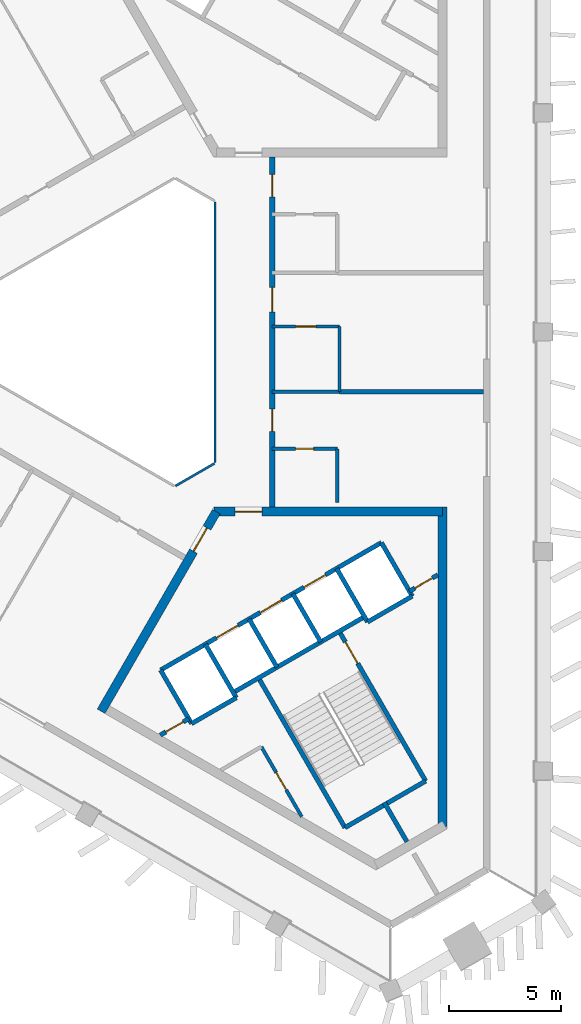
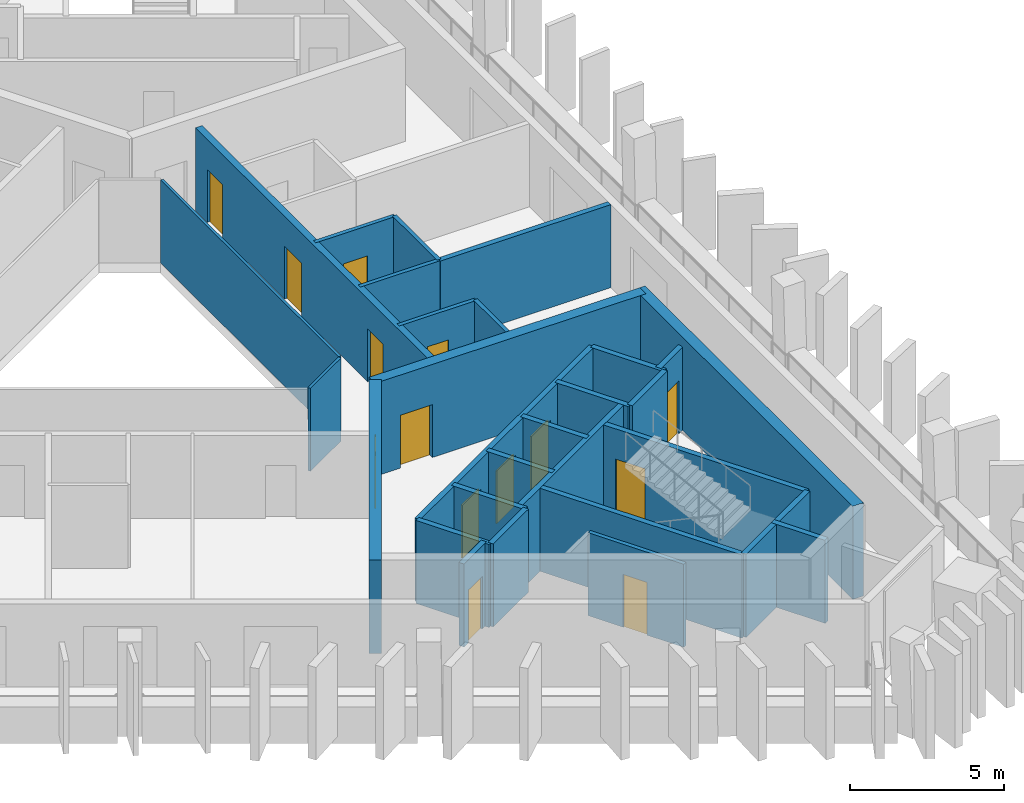
# One storey, part 3 of 9: 29 walls, 14 doors, 14 openings.
"""IFC4 building model written with IfcOpenShell, lengths in metres."""

from ifc_helpers import new_model, si_unit, direction, frame, frame_2d, origin, place, context, subcontext, project, spatial, rectangle, extrude, material, layer, layer_set, type_object, element, fill, save


model = new_model("IFC4")

# Units and contexts
model_context = context("Model", 3, precision=1e-05, world=origin(), true_north=direction((0.0, 1.0)))
body_context = subcontext(model_context, "Body", "Model", "MODEL_VIEW")
ifc_project = project(units=[si_unit("LENGTHUNIT", "METRE"), si_unit("AREAUNIT", "SQUARE_METRE"), si_unit("VOLUMEUNIT", "CUBIC_METRE"), si_unit("PLANEANGLEUNIT", "RADIAN"), si_unit("MASSUNIT", "GRAM", prefix="KILO")], contexts=[model_context])

# Site, building, storey
site_placement = place(None, origin())
site = spatial("IfcSite", under=ifc_project, at=site_placement, CompositionType="ELEMENT")
building_placement = place(site_placement, origin())
building = spatial("IfcBuilding", under=site, at=building_placement, Name="Jabali Bay Hotel Tower and Convention Centre", CompositionType="ELEMENT")
storey_placement = place(building_placement, frame((0.0, 0.0, 270.10009765625)))
storey = spatial("IfcBuildingStorey", under=building, at=storey_placement, Name="L66", CompositionType="ELEMENT", Elevation=270.10009765625)

# Walls
ifc_material_1 = material(Name="Fire-resistant glazing", Category="glass")
ifc_layer_1 = layer(ifc_material_1, 0.10009765625)
ifc_layer_set_1 = layer_set([ifc_layer_1], Name="Fire-resistant glazing")
wall_type_1 = type_object("IfcWallType", Name="Atrium glazed screen 100", PredefinedType="PARTITIONING", material=ifc_layer_set_1)
wall_1_placement = place(storey_placement, frame((79.56005859375, 74.205810546875, 0.0), z_axis=(0.0, 0.0, 1.0), x_axis=(0.0, 1.0, 0.0)))
element("IfcWall", 1, at=wall_1_placement, inside=storey, type_object=wall_type_1, Name="Atrium screen 1 L66", PredefinedType="PARTITIONING", context=body_context, shape_type="SweptSolid", body=[
    extrude(rectangle(XDim=11.58837890625, YDim=0.10009765625, at=frame_2d((5.794189453125, 0.0))), origin(), (0.0, 0.0, 1.0), 3.2998046875),
])
wall_2_placement = place(storey_placement, frame((77.7978515625, 73.15380859375, 0.0), z_axis=(0.0, 0.0, 1.0), x_axis=(0.866041268327, 0.499972520799, 0.0)))
element("IfcWall", 2, at=wall_2_placement, inside=storey, type_object=wall_type_1, Name="Atrium screen 6 L66", PredefinedType="PARTITIONING", context=body_context, shape_type="SweptSolid", body=[
    extrude(rectangle(XDim=2.0, YDim=0.10009765625, at=frame_2d((1.0, 0.0))), origin(), (0.0, 0.0, 1.0), 3.2998046875),
])
ifc_material_2 = material(Name="Concrete C40", Category="concrete")
ifc_layer_2 = layer(ifc_material_2, 0.199951171875)
ifc_layer_set_2 = layer_set([ifc_layer_2], Name="Concrete C40")
wall_type_2 = type_object("IfcWallType", Name="Core partition wall 200", PredefinedType="PARTITIONING", material=ifc_layer_set_2)
wall_3_placement = place(storey_placement, frame((87.090087890625, 59.0595703125, 0.0), z_axis=(0.0, 0.0, 1.0), x_axis=(0.499941815747, -0.866058993873, 0.0)))
element("IfcWall", 3, at=wall_3_placement, inside=storey, type_object=wall_type_2, Name="Core wall 2.5 L66", PredefinedType="PARTITIONING", context=body_context, shape_type="SweptSolid", body=[
    extrude(rectangle(XDim=2.023193359375, YDim=0.199951171875, at=frame_2d((1.01171875, 0.0))), origin(), (0.0, 0.0, 1.0), 3.2998046875),
])

# Wall, opening, door
wall_4_placement = place(storey_placement, frame((77.119873046875, 62.055908203125, 0.0), z_axis=(0.0, 0.0, 1.0), x_axis=(0.866054810376, 0.49994906283, 0.0)))
wall_4 = element("IfcWall", 4, at=wall_4_placement, inside=storey, type_object=wall_type_2, Name="Core wall 2.12 L66", PredefinedType="PARTITIONING", context=body_context, shape_type="SweptSolid", body=[
    extrude(rectangle(XDim=1.461181640625, YDim=0.199951171875, at=frame_2d((0.73046875, 0.0))), origin(), (0.0, 0.0, 1.0), 3.2998046875),
])
opening_1_placement = place(wall_4_placement, frame((0.280517578125, 0.0, 0.0)))
opening_1 = element("IfcOpeningElement", 5, at=opening_1_placement, cuts=wall_4, Name="Opening D1465", PredefinedType="OPENING", context=body_context, shape_type="SweptSolid", body=[
    extrude(rectangle(XDim=0.89990234375, YDim=2.10009765625, at=frame_2d((0.449951171875, 1.050048828125))), frame((0.0, 0.1103515625, 0.0), z_axis=(0.0, -1.0, 0.0), x_axis=(1.0, 0.0, 0.0)), (0.0, 0.0, 1.0), 0.220947265625),
])
ifc_material_3 = material(Name="Fire-rated steel door", Category="steel")
door_type_1 = type_object("IfcDoorType", Name="Vestibule fire door 900 x 2100", OperationType="NOTDEFINED", PredefinedType="NOTDEFINED", material=ifc_material_3)
door_1_placement = place(opening_1_placement, origin())
door_1 = element("IfcDoor", 6, at=door_1_placement, inside=storey, type_object=door_type_1, Name="Vestibule fire door D1465", OperationType="SINGLE_SWING_LEFT", OverallHeight=2.10009765625, OverallWidth=0.89990234375, PredefinedType="NOTDEFINED", context=body_context, shape_type="SweptSolid", body=[
    extrude(rectangle(XDim=0.89990234375, YDim=2.10009765625, at=frame_2d((0.449951171875, 1.050048828125))), frame((0.0, 0.02490234375, 0.0), z_axis=(0.0, -1.0, 0.0), x_axis=(1.0, 0.0, 0.0)), (0.0, 0.0, 1.0), 0.050048828125),
])
fill(opening_1, door_1)

wall_5_placement = place(storey_placement, frame((88.214599609375, 68.46142578125, 0.0), z_axis=(0.0, 0.0, 1.0), x_axis=(0.865982457891, 0.500074377092, 0.0)))
wall_5 = element("IfcWall", 7, at=wall_5_placement, inside=storey, type_object=wall_type_2, Name="Core wall 2.13 L66", PredefinedType="PARTITIONING", context=body_context, shape_type="SweptSolid", body=[
    extrude(rectangle(XDim=1.461181640625, YDim=0.199951171875, at=frame_2d((0.73046875, 0.0))), origin(), (0.0, 0.0, 1.0), 3.2998046875),
])
opening_2_placement = place(wall_5_placement, frame((0.280517578125, 0.0, 0.0)))
opening_2 = element("IfcOpeningElement", 8, at=opening_2_placement, cuts=wall_5, Name="Opening D1464", PredefinedType="OPENING", context=body_context, shape_type="SweptSolid", body=[
    extrude(rectangle(XDim=0.89990234375, YDim=2.10009765625, at=frame_2d((0.449951171875, 1.050048828125))), frame((0.0, 0.1103515625, 0.0), z_axis=(0.0, -1.0, 0.0), x_axis=(1.0, 0.0, 0.0)), (0.0, 0.0, 1.0), 0.220947265625),
])
door_2_placement = place(opening_2_placement, origin())
door_2 = element("IfcDoor", 9, at=door_2_placement, inside=storey, type_object=door_type_1, Name="Vestibule fire door D1464", OperationType="SINGLE_SWING_LEFT", OverallHeight=2.10009765625, OverallWidth=0.89990234375, PredefinedType="NOTDEFINED", context=body_context, shape_type="SweptSolid", body=[
    extrude(rectangle(XDim=0.89990234375, YDim=2.10009765625, at=frame_2d((0.449951171875, 1.050048828125))), frame((0.0, 0.02490234375, 0.0), z_axis=(0.0, -1.0, 0.0), x_axis=(1.0, 0.0, 0.0)), (0.0, 0.0, 1.0), 0.050048828125),
])
fill(opening_2, door_2)

ifc_material_4 = material(Name="Fire-rated board partition")
ifc_layer_3 = layer(ifc_material_4, 0.14990234375)
ifc_layer_set_3 = layer_set([ifc_layer_3], Name="Fire-rated board partition")
wall_type_3 = type_object("IfcWallType", Name="Core room partition 150", PredefinedType="PARTITIONING", material=ifc_layer_set_3)
wall_6_placement = place(storey_placement, frame((81.618896484375, 61.53564453125, 0.0), z_axis=(0.0, 0.0, 1.0), x_axis=(0.499992664208, -0.866029639064, 0.0)))
wall_6 = element("IfcWall", 10, at=wall_6_placement, inside=storey, type_object=wall_type_3, Name="Core wall 2.1 L66", PredefinedType="PARTITIONING", context=body_context, shape_type="SweptSolid", body=[
    extrude(rectangle(XDim=3.59765625, YDim=0.14990234375, at=frame_2d((1.798828125, 0.0))), origin(), (0.0, 0.0, 1.0), 3.2998046875),
])
opening_3_placement = place(wall_6_placement, frame((1.321533203125, 0.0, 0.0)))
opening_3 = element("IfcOpeningElement", 11, at=opening_3_placement, cuts=wall_6, Name="Opening D1467", PredefinedType="OPENING", context=body_context, shape_type="SweptSolid", body=[
    extrude(rectangle(XDim=0.89990234375, YDim=2.10009765625, at=frame_2d((0.449951171875, 1.050048828125))), frame((0.0, 0.08544921875, 0.0), z_axis=(0.0, -1.0, 0.0), x_axis=(1.0, 0.0, 0.0)), (0.0, 0.0, 1.0), 0.1708984375),
])
door_type_2 = type_object("IfcDoorType", Name="Core room door 900 x 2100", OperationType="NOTDEFINED", PredefinedType="NOTDEFINED", material=ifc_material_3)
door_3_placement = place(opening_3_placement, origin())
door_3 = element("IfcDoor", 12, at=door_3_placement, inside=storey, type_object=door_type_2, Name="Core room door D1467", OperationType="SINGLE_SWING_LEFT", OverallHeight=2.10009765625, OverallWidth=0.89990234375, PredefinedType="NOTDEFINED", context=body_context, shape_type="SweptSolid", body=[
    extrude(rectangle(XDim=0.89990234375, YDim=2.10009765625, at=frame_2d((0.449951171875, 1.050048828125))), frame((0.0, 0.02490234375, 0.0), z_axis=(0.0, -1.0, 0.0), x_axis=(1.0, 0.0, 0.0)), (0.0, 0.0, 1.0), 0.050048828125),
])
fill(opening_3, door_3)

# Walls
ifc_layer_4 = layer(ifc_material_2, 0.199951171875)
ifc_layer_set_4 = layer_set([ifc_layer_4], Name="Concrete C40")
wall_type_4 = type_object("IfcWallType", Name="Core stair wall 200", PredefinedType="SOLIDWALL", material=ifc_layer_set_4)
for number, where, z_axis, x_axis, name in (
    (13, (77.13525390625, 64.95166015625, 0.0), (0.0, 0.0, 1.0), (0.499996545922, -0.866027397988, 0.0), "Core wall 2.0 L66"),
    (14, (79.127197265625, 66.1015625, 0.0), (0.0, 0.0, 1.0), (0.499996545922, -0.866027397988, 0.0), "Core wall 2.2 L66"),
):
    element("IfcWall", number, at=place(storey_placement, frame(where, z_axis=z_axis, x_axis=x_axis)), inside=storey, type_object=wall_type_4, Name=name, PredefinedType="SOLIDWALL", context=body_context, shape_type="SweptSolid", body=[
        extrude(rectangle(XDim=2.75, YDim=0.199951171875, at=frame_2d((1.375, 0.0))), origin(), (0.0, 0.0, 1.0), 3.2998046875),
    ])
wall_7_placement = place(storey_placement, frame((81.492919921875, 64.603759765625, 0.0), z_axis=(0.0, 0.0, 1.0), x_axis=(0.500006057782, -0.866021906294, 0.0)))
element("IfcWall", 15, at=wall_7_placement, inside=storey, type_object=wall_type_4, Name="Core wall 2.3 L66", PredefinedType="SOLIDWALL", context=body_context, shape_type="SweptSolid", body=[
    extrude(rectangle(XDim=7.7001953125, YDim=0.199951171875, at=frame_2d((3.85009765625, 0.0))), origin(), (0.0, 0.0, 1.0), 3.2998046875),
])
for number, where, z_axis, x_axis, name in (
    (16, (81.07568359375, 67.2265625, 0.0), (0.0, 0.0, 1.0), (0.50000366821, -0.866023285932, 0.0), "Core wall 2.4 L66"),
    (17, (83.024169921875, 68.3515625, 0.0), (0.0, 0.0, 1.0), (0.50000366821, -0.866023285932, 0.0), "Core wall 2.6 L66"),
):
    element("IfcWall", number, at=place(storey_placement, frame(where, z_axis=z_axis, x_axis=x_axis)), inside=storey, type_object=wall_type_4, Name=name, PredefinedType="SOLIDWALL", context=body_context, shape_type="SweptSolid", body=[
        extrude(rectangle(XDim=2.47998046875, YDim=0.199951171875, at=frame_2d((1.239990234375, 0.0))), origin(), (0.0, 0.0, 1.0), 3.2998046875),
    ])

# Wall, opening, door
wall_8_placement = place(storey_placement, frame((85.0869140625, 66.6787109375, 0.0), z_axis=(0.0, 0.0, 1.0), x_axis=(0.500019787375, -0.866013979237, 0.0)))
wall_8 = element("IfcWall", 18, at=wall_8_placement, inside=storey, type_object=wall_type_4, Name="Core wall 2.7 L66", PredefinedType="SOLIDWALL", context=body_context, shape_type="SweptSolid", body=[
    extrude(rectangle(XDim=7.699951171875, YDim=0.199951171875, at=frame_2d((3.85009765625, 0.0))), origin(), (0.0, 0.0, 1.0), 3.2998046875),
])
opening_4_placement = place(wall_8_placement, frame((0.550048828125, 0.0, 0.0)))
opening_4 = element("IfcOpeningElement", 19, at=opening_4_placement, cuts=wall_8, Name="Opening D1466", PredefinedType="OPENING", context=body_context, shape_type="SweptSolid", body=[
    extrude(rectangle(XDim=1.10009765625, YDim=2.10009765625, at=frame_2d((0.550048828125, 1.050048828125))), frame((0.0, 0.1103515625, 0.0), z_axis=(0.0, -1.0, 0.0), x_axis=(1.0, 0.0, 0.0)), (0.0, 0.0, 1.0), 0.220947265625),
])
door_type_3 = type_object("IfcDoorType", Name="Stair fire door 1100 x 2100", OperationType="NOTDEFINED", PredefinedType="NOTDEFINED", material=ifc_material_3)
door_4_placement = place(opening_4_placement, origin())
door_4 = element("IfcDoor", 20, at=door_4_placement, inside=storey, type_object=door_type_3, Name="Stair fire door D1466", OperationType="SINGLE_SWING_RIGHT", OverallHeight=2.10009765625, OverallWidth=1.10009765625, PredefinedType="NOTDEFINED", context=body_context, shape_type="SweptSolid", body=[
    extrude(rectangle(XDim=1.10009765625, YDim=2.10009765625, at=frame_2d((0.550048828125, 1.050048828125))), frame((0.0, 0.02490234375, 0.0), z_axis=(0.0, -1.0, 0.0), x_axis=(1.0, 0.0, 0.0)), (0.0, 0.0, 1.0), 0.050048828125),
])
fill(opening_4, door_4)

# Walls
for number, where, z_axis, x_axis, name in (
    (21, (84.972900390625, 69.4765625, 0.0), (0.0, 0.0, 1.0), (0.499996545922, -0.866027397988, 0.0), "Core wall 2.8 L66"),
    (22, (86.964599609375, 70.62646484375, 0.0), (0.0, 0.0, 1.0), (0.499996545922, -0.866027397988, 0.0), "Core wall 2.9 L66"),
):
    element("IfcWall", number, at=place(storey_placement, frame(where, z_axis=z_axis, x_axis=x_axis)), inside=storey, type_object=wall_type_4, Name=name, PredefinedType="SOLIDWALL", context=body_context, shape_type="SweptSolid", body=[
        extrude(rectangle(XDim=2.75, YDim=0.199951171875, at=frame_2d((1.375, 0.0))), origin(), (0.0, 0.0, 1.0), 3.2998046875),
    ])

# Wall, openings, doors
wall_9_placement = place(storey_placement, frame((77.13525390625, 64.95166015625, 0.0), z_axis=(0.0, 0.0, 1.0), x_axis=(0.866031916153, 0.499988720078, 0.0)))
wall_9 = element("IfcWall", 23, at=wall_9_placement, inside=storey, type_object=wall_type_4, Name="Core wall 2.10 L66", PredefinedType="SOLIDWALL", context=body_context, shape_type="SweptSolid", body=[
    extrude(rectangle(XDim=11.349853515625, YDim=0.199951171875, at=frame_2d((5.6748046875, 0.0))), origin(), (0.0, 0.0, 1.0), 3.2998046875),
])
opening_5_placement = place(wall_9_placement, frame((2.875, 0.0, 0.0)))
opening_5 = element("IfcOpeningElement", 24, at=opening_5_placement, cuts=wall_9, Name="Opening LD12-L66", PredefinedType="OPENING", context=body_context, shape_type="SweptSolid", body=[
    extrude(rectangle(XDim=1.10009765625, YDim=2.10009765625, at=frame_2d((0.550048828125, 1.050048828125))), frame((0.0, 0.1103515625, 0.0), z_axis=(0.0, -1.0, 0.0), x_axis=(1.0, 0.0, 0.0)), (0.0, 0.0, 1.0), 0.220947265625),
])
opening_6_placement = place(wall_9_placement, frame((5.125, 0.0, 0.0)))
opening_6 = element("IfcOpeningElement", 25, at=opening_6_placement, cuts=wall_9, Name="Opening LD13-L66", PredefinedType="OPENING", context=body_context, shape_type="SweptSolid", body=[
    extrude(rectangle(XDim=1.10009765625, YDim=2.10009765625, at=frame_2d((0.550048828125, 1.050048828125))), frame((0.0, 0.1103515625, 0.0), z_axis=(0.0, -1.0, 0.0), x_axis=(1.0, 0.0, 0.0)), (0.0, 0.0, 1.0), 0.220947265625),
])
opening_7_placement = place(wall_9_placement, frame((7.375, 0.0, 0.0)))
opening_7 = element("IfcOpeningElement", 26, at=opening_7_placement, cuts=wall_9, Name="Opening LD14-L66", PredefinedType="OPENING", context=body_context, shape_type="SweptSolid", body=[
    extrude(rectangle(XDim=1.10009765625, YDim=2.10009765625, at=frame_2d((0.550048828125, 1.050048828125))), frame((0.0, 0.1103515625, 0.0), z_axis=(0.0, -1.0, 0.0), x_axis=(1.0, 0.0, 0.0)), (0.0, 0.0, 1.0), 0.220947265625),
])
ifc_material_5 = material(Name="Stainless steel landing door", Category="steel")
door_type_4 = type_object("IfcDoorType", Name="Landing door 1100 x 2100", OperationType="NOTDEFINED", PredefinedType="NOTDEFINED", material=ifc_material_5)
door_5_placement = place(opening_5_placement, origin())
door_5 = element("IfcDoor", 27, at=door_5_placement, inside=storey, type_object=door_type_4, Name="Landing doors LD12-L66", OperationType="SLIDING_TO_LEFT", OverallHeight=2.10009765625, OverallWidth=1.10009765625, PredefinedType="NOTDEFINED", context=body_context, shape_type="SweptSolid", body=[
    extrude(rectangle(XDim=1.10009765625, YDim=2.10009765625, at=frame_2d((0.550048828125, 1.050048828125))), frame((0.0, 0.02490234375, 0.0), z_axis=(0.0, -1.0, 0.0), x_axis=(1.0, 0.0, 0.0)), (0.0, 0.0, 1.0), 0.050048828125),
])
fill(opening_5, door_5)
door_6_placement = place(opening_6_placement, origin())
door_6 = element("IfcDoor", 28, at=door_6_placement, inside=storey, type_object=door_type_4, Name="Landing doors LD13-L66", OperationType="SLIDING_TO_RIGHT", OverallHeight=2.10009765625, OverallWidth=1.10009765625, PredefinedType="NOTDEFINED", context=body_context, shape_type="SweptSolid", body=[
    extrude(rectangle(XDim=1.10009765625, YDim=2.10009765625, at=frame_2d((0.550048828125, 1.050048828125))), frame((0.0, 0.02490234375, 0.0), z_axis=(0.0, -1.0, 0.0), x_axis=(1.0, 0.0, 0.0)), (0.0, 0.0, 1.0), 0.050048828125),
])
fill(opening_6, door_6)
door_7_placement = place(opening_7_placement, origin())
door_7 = element("IfcDoor", 29, at=door_7_placement, inside=storey, type_object=door_type_4, Name="Landing doors LD14-L66", OperationType="SLIDING_TO_LEFT", OverallHeight=2.10009765625, OverallWidth=1.10009765625, PredefinedType="NOTDEFINED", context=body_context, shape_type="SweptSolid", body=[
    extrude(rectangle(XDim=1.10009765625, YDim=2.10009765625, at=frame_2d((0.550048828125, 1.050048828125))), frame((0.0, 0.02490234375, 0.0), z_axis=(0.0, -1.0, 0.0), x_axis=(1.0, 0.0, 0.0)), (0.0, 0.0, 1.0), 0.050048828125),
])
fill(opening_7, door_7)

# Walls
wall_10_placement = place(storey_placement, frame((80.3671875, 63.953857421875, 0.0), z_axis=(0.0, 0.0, 1.0), x_axis=(0.866026575979, 0.499997969693, 0.0)))
element("IfcWall", 30, at=wall_10_placement, inside=storey, type_object=wall_type_4, Name="Core wall 2.11 L66", PredefinedType="SOLIDWALL", context=body_context, shape_type="SweptSolid", body=[
    extrude(rectangle(XDim=6.75, YDim=0.199951171875, at=frame_2d((3.375, 0.0))), origin(), (0.0, 0.0, 1.0), 3.2998046875),
])
wall_11_placement = place(storey_placement, frame((78.51025390625, 62.570068359375, 0.0), z_axis=(0.0, 0.0, 1.0), x_axis=(0.866053019151, 0.499952165731, 0.0)))
element("IfcWall", 31, at=wall_11_placement, inside=storey, type_object=wall_type_4, Name="Core wall 2.14 L66", PredefinedType="SOLIDWALL", context=body_context, shape_type="SweptSolid", body=[
    extrude(rectangle(XDim=2.300048828125, YDim=0.199951171875, at=frame_2d((1.14990234375, 0.0))), origin(), (0.0, 0.0, 1.0), 3.2998046875),
])
wall_12_placement = place(storey_placement, frame((86.347900390625, 67.094970703125, 0.0), z_axis=(0.0, 0.0, 1.0), x_axis=(0.86602648383, 0.499998129301, 0.0)))
element("IfcWall", 32, at=wall_12_placement, inside=storey, type_object=wall_type_4, Name="Core wall 2.15 L66", PredefinedType="SOLIDWALL", context=body_context, shape_type="SweptSolid", body=[
    extrude(rectangle(XDim=2.2998046875, YDim=0.199951171875, at=frame_2d((1.14990234375, 0.0))), origin(), (0.0, 0.0, 1.0), 3.2998046875),
])
wall_13_placement = place(storey_placement, frame((85.343017578125, 57.935302734375, 0.0), z_axis=(0.0, 0.0, 1.0), x_axis=(0.866004344652, 0.500036473714, 0.0)))
element("IfcWall", 33, at=wall_13_placement, inside=storey, type_object=wall_type_4, Name="Core wall 2.17 L66", PredefinedType="SOLIDWALL", context=body_context, shape_type="SweptSolid", body=[
    extrude(rectangle(XDim=4.150146484375, YDim=0.199951171875, at=frame_2d((2.0751953125, 0.0))), origin(), (0.0, 0.0, 1.0), 3.2998046875),
])

# Wall, opening, door
ifc_material_6 = material(Name="Concrete C60", Category="concrete")
ifc_layer_5 = layer(ifc_material_6, 0.39990234375)
ifc_layer_set_5 = layer_set([ifc_layer_5], Name="Concrete C60")
wall_type_5 = type_object("IfcWallType", Name="Core wall 400", PredefinedType="SHEAR", material=ifc_layer_set_5)
wall_14_placement = place(storey_placement, frame((79.615478515625, 72.005859375, 0.0), z_axis=(0.0, 0.0, 1.0), x_axis=(-0.50000177223, -0.866024380585, 0.0)))
wall_14 = element("IfcWall", 34, at=wall_14_placement, inside=storey, type_object=wall_type_5, Name="Core wall 3.1 L66", PredefinedType="SHEAR", context=body_context, shape_type="SweptSolid", body=[
    extrude(rectangle(XDim=10.2646484375, YDim=0.39990234375, at=frame_2d((5.13232421875, 0.0))), origin(), (0.0, 0.0, 1.0), 3.699951171875),
])
opening_8_placement = place(wall_14_placement, frame((0.83447265625, 0.0, 0.0)))
opening_8 = element("IfcOpeningElement", 35, at=opening_8_placement, cuts=wall_14, Name="Opening D1462", PredefinedType="OPENING", context=body_context, shape_type="SweptSolid", body=[
    extrude(rectangle(XDim=1.199951171875, YDim=2.10009765625, at=frame_2d((0.60009765625, 1.050048828125))), frame((0.0, 0.21044921875, 0.0), z_axis=(0.0, -1.0, 0.0), x_axis=(1.0, 0.0, 0.0)), (0.0, 0.0, 1.0), 0.4208984375),
])
door_type_5 = type_object("IfcDoorType", Name="Corridor end fire door 1200 x 2100", OperationType="NOTDEFINED", PredefinedType="NOTDEFINED", material=ifc_material_3)
door_8_placement = place(opening_8_placement, origin())
door_8 = element("IfcDoor", 36, at=door_8_placement, inside=storey, type_object=door_type_5, Name="Corridor end fire door D1462", OperationType="SINGLE_SWING_RIGHT", OverallHeight=2.10009765625, OverallWidth=1.199951171875, PredefinedType="NOTDEFINED", context=body_context, shape_type="SweptSolid", body=[
    extrude(rectangle(XDim=1.199951171875, YDim=2.10009765625, at=frame_2d((0.60009765625, 1.050048828125))), frame((0.0, 0.02490234375, 0.0), z_axis=(0.0, -1.0, 0.0), x_axis=(1.0, 0.0, 0.0)), (0.0, 0.0, 1.0), 0.050048828125),
])
fill(opening_8, door_8)

# Wall
wall_15_placement = place(storey_placement, frame((89.679931640625, 57.98779296875, 0.0), z_axis=(0.0, 0.0, 1.0), x_axis=(0.0, 1.0, 0.0)))
element("IfcWall", 37, at=wall_15_placement, inside=storey, type_object=wall_type_5, Name="Core wall 3.4 L66", PredefinedType="SHEAR", context=body_context, shape_type="SweptSolid", body=[
    extrude(rectangle(XDim=14.218017578125, YDim=0.39990234375, at=frame_2d((7.10888671875, 0.0))), origin(), (0.0, 0.0, 1.0), 3.699951171875),
])

# Wall, opening, door
wall_16_placement = place(storey_placement, frame((89.679931640625, 72.005859375, 0.0), z_axis=(0.0, 0.0, 1.0), x_axis=(-1.0, 0.0, 0.0)))
wall_16 = element("IfcWall", 38, at=wall_16_placement, inside=storey, type_object=wall_type_5, Name="Core wall 3.5 L66", PredefinedType="SHEAR", context=body_context, shape_type="SweptSolid", body=[
    extrude(rectangle(XDim=10.179931640625, YDim=0.39990234375, at=frame_2d((5.08984375, 0.0))), origin(), (0.0, 0.0, 1.0), 3.699951171875),
])
opening_9_placement = place(wall_16_placement, frame((8.030029296875, 0.0, 0.0)))
opening_9 = element("IfcOpeningElement", 39, at=opening_9_placement, cuts=wall_16, Name="Opening D1463", PredefinedType="OPENING", context=body_context, shape_type="SweptSolid", body=[
    extrude(rectangle(XDim=1.199951171875, YDim=2.10009765625, at=frame_2d((0.60009765625, 1.050048828125))), frame((0.0, 0.21044921875, 0.0), z_axis=(0.0, -1.0, 0.0), x_axis=(1.0, 0.0, 0.0)), (0.0, 0.0, 1.0), 0.4208984375),
])
door_9_placement = place(opening_9_placement, origin())
door_9 = element("IfcDoor", 40, at=door_9_placement, inside=storey, type_object=door_type_5, Name="Corridor end fire door D1463", OperationType="SINGLE_SWING_LEFT", OverallHeight=2.10009765625, OverallWidth=1.199951171875, PredefinedType="NOTDEFINED", context=body_context, shape_type="SweptSolid", body=[
    extrude(rectangle(XDim=1.199951171875, YDim=2.10009765625, at=frame_2d((0.60009765625, 1.050048828125))), frame((0.0, 0.02490234375, 0.0), z_axis=(0.0, -1.0, 0.0), x_axis=(1.0, 0.0, 0.0)), (0.0, 0.0, 1.0), 0.050048828125),
])
fill(opening_9, door_9)

# Wall, openings, doors
ifc_layer_6 = layer(ifc_material_6, 0.25)
ifc_layer_set_6 = layer_set([ifc_layer_6], Name="Concrete C60")
wall_type_6 = type_object("IfcWallType", Name="Corridor wall 250", PredefinedType="SHEAR", material=ifc_layer_set_6)
wall_17_placement = place(storey_placement, frame((82.10009765625, 72.205810546875, 0.0), z_axis=(0.0, 0.0, 1.0), x_axis=(0.0, 1.0, 0.0)))
wall_17 = element("IfcWall", 41, at=wall_17_placement, inside=storey, type_object=wall_type_6, Name="Corridor wall 1 L66", PredefinedType="SHEAR", context=body_context, shape_type="SweptSolid", body=[
    extrude(rectangle(XDim=15.58837890625, YDim=0.25, at=frame_2d((7.794189453125, 0.0))), origin(), (0.0, 0.0, 1.0), 3.2998046875),
])
opening_10_placement = place(wall_17_placement, frame((3.3720703125, 0.0, 0.0)))
opening_10 = element("IfcOpeningElement", 42, at=opening_10_placement, cuts=wall_17, Name="Opening 6602", PredefinedType="OPENING", context=body_context, shape_type="SweptSolid", body=[
    extrude(rectangle(XDim=1.0, YDim=2.10009765625, at=frame_2d((0.5, 1.050048828125))), frame((0.0, 0.135498046875, 0.0), z_axis=(0.0, -1.0, 0.0), x_axis=(1.0, 0.0, 0.0)), (0.0, 0.0, 1.0), 0.27099609375),
])
opening_11_placement = place(wall_17_placement, frame((8.694091796875, 0.0, 0.0)))
opening_11 = element("IfcOpeningElement", 43, at=opening_11_placement, cuts=wall_17, Name="Opening 6604", PredefinedType="OPENING", context=body_context, shape_type="SweptSolid", body=[
    extrude(rectangle(XDim=1.10009765625, YDim=2.10009765625, at=frame_2d((0.550048828125, 1.050048828125))), frame((0.0, 0.135498046875, 0.0), z_axis=(0.0, -1.0, 0.0), x_axis=(1.0, 0.0, 0.0)), (0.0, 0.0, 1.0), 0.27099609375),
])
opening_12_placement = place(wall_17_placement, frame((13.81640625, 0.0, 0.0)))
opening_12 = element("IfcOpeningElement", 44, at=opening_12_placement, cuts=wall_17, Name="Opening 6606", PredefinedType="OPENING", context=body_context, shape_type="SweptSolid", body=[
    extrude(rectangle(XDim=1.0, YDim=2.10009765625, at=frame_2d((0.5, 1.050048828125))), frame((0.0, 0.135498046875, 0.0), z_axis=(0.0, -1.0, 0.0), x_axis=(1.0, 0.0, 0.0)), (0.0, 0.0, 1.0), 0.27099609375),
])
ifc_material_7 = material(Name="Timber", Category="wood")
door_type_6 = type_object("IfcDoorType", Name="Accessible guest room door 1100 x 2100", OperationType="NOTDEFINED", PredefinedType="NOTDEFINED", material=ifc_material_7)
door_10_placement = place(opening_11_placement, origin())
door_10 = element("IfcDoor", 45, at=door_10_placement, inside=storey, type_object=door_type_6, Name="Door 6604", OperationType="SINGLE_SWING_RIGHT", OverallHeight=2.10009765625, OverallWidth=1.10009765625, PredefinedType="NOTDEFINED", context=body_context, shape_type="SweptSolid", body=[
    extrude(rectangle(XDim=1.10009765625, YDim=2.10009765625, at=frame_2d((0.550048828125, 1.050048828125))), frame((0.0, 0.02490234375, 0.0), z_axis=(0.0, -1.0, 0.0), x_axis=(1.0, 0.0, 0.0)), (0.0, 0.0, 1.0), 0.050048828125),
])
fill(opening_11, door_10)
door_type_7 = type_object("IfcDoorType", Name="Guest room door 1000 x 2100", OperationType="NOTDEFINED", PredefinedType="NOTDEFINED", material=ifc_material_7)
door_11_placement = place(opening_10_placement, origin())
door_11 = element("IfcDoor", 46, at=door_11_placement, inside=storey, type_object=door_type_7, Name="Door 6602", OperationType="SINGLE_SWING_LEFT", OverallHeight=2.10009765625, OverallWidth=1.0, PredefinedType="NOTDEFINED", context=body_context, shape_type="SweptSolid", body=[
    extrude(rectangle(XDim=1.0, YDim=2.10009765625, at=frame_2d((0.5, 1.050048828125))), frame((0.0, 0.02490234375, 0.0), z_axis=(0.0, -1.0, 0.0), x_axis=(1.0, 0.0, 0.0)), (0.0, 0.0, 1.0), 0.050048828125),
])
fill(opening_10, door_11)
door_12_placement = place(opening_12_placement, origin())
door_12 = element("IfcDoor", 47, at=door_12_placement, inside=storey, type_object=door_type_7, Name="Door 6606", OperationType="SINGLE_SWING_RIGHT", OverallHeight=2.10009765625, OverallWidth=1.0, PredefinedType="NOTDEFINED", context=body_context, shape_type="SweptSolid", body=[
    extrude(rectangle(XDim=1.0, YDim=2.10009765625, at=frame_2d((0.5, 1.050048828125))), frame((0.0, 0.02490234375, 0.0), z_axis=(0.0, -1.0, 0.0), x_axis=(1.0, 0.0, 0.0)), (0.0, 0.0, 1.0), 0.050048828125),
])
fill(opening_12, door_12)

# Wall, opening, door
ifc_material_8 = material(Name="Plasterboard on steel stud", Category="steel")
ifc_layer_7 = layer(ifc_material_8, 0.14990234375)
ifc_layer_set_7 = layer_set([ifc_layer_7], Name="Plasterboard on steel stud")
wall_type_7 = type_object("IfcWallType", Name="Partition 150 wet", PredefinedType="PARTITIONING", material=ifc_layer_set_7)
wall_18_placement = place(storey_placement, frame((82.10009765625, 74.8056640625, 0.0), z_axis=(0.0, 0.0, 1.0), x_axis=(1.0, 0.0, 0.0)))
wall_18 = element("IfcWall", 48, at=wall_18_placement, inside=storey, type_object=wall_type_7, Name="Partition P03 L66 001", PredefinedType="PARTITIONING", context=body_context, shape_type="SweptSolid", body=[
    extrude(rectangle(XDim=2.89990234375, YDim=0.14990234375, at=frame_2d((1.449951171875, 0.0))), origin(), (0.0, 0.0, 1.0), 3.2998046875),
])
opening_13_placement = place(wall_18_placement, frame((1.050048828125, 0.0, 0.0)))
opening_13 = element("IfcOpeningElement", 49, at=opening_13_placement, cuts=wall_18, Name="Opening 6601", PredefinedType="OPENING", context=body_context, shape_type="SweptSolid", body=[
    extrude(rectangle(XDim=0.800048828125, YDim=2.10009765625, at=frame_2d((0.39990234375, 1.050048828125))), frame((0.0, 0.08544921875, 0.0), z_axis=(0.0, -1.0, 0.0), x_axis=(1.0, 0.0, 0.0)), (0.0, 0.0, 1.0), 0.1708984375),
])
door_type_8 = type_object("IfcDoorType", Name="En-suite door 800 x 2100", OperationType="NOTDEFINED", PredefinedType="NOTDEFINED", material=ifc_material_7)
door_13_placement = place(opening_13_placement, origin())
door_13 = element("IfcDoor", 50, at=door_13_placement, inside=storey, type_object=door_type_8, Name="Door 6601", OperationType="SINGLE_SWING_LEFT", OverallHeight=2.10009765625, OverallWidth=0.800048828125, PredefinedType="NOTDEFINED", context=body_context, shape_type="SweptSolid", body=[
    extrude(rectangle(XDim=0.800048828125, YDim=2.10009765625, at=frame_2d((0.39990234375, 1.050048828125))), frame((0.0, 0.02490234375, 0.0), z_axis=(0.0, -1.0, 0.0), x_axis=(1.0, 0.0, 0.0)), (0.0, 0.0, 1.0), 0.050048828125),
])
fill(opening_13, door_13)

# Walls
wall_19_placement = place(storey_placement, frame((85.0, 74.8056640625, 0.0), z_axis=(0.0, 0.0, 1.0), x_axis=(0.0, -1.0, 0.0)))
element("IfcWall", 51, at=wall_19_placement, inside=storey, type_object=wall_type_7, Name="Partition P03 L66 002", PredefinedType="PARTITIONING", context=body_context, shape_type="SweptSolid", body=[
    extrude(rectangle(XDim=2.40087890625, YDim=0.14990234375, at=frame_2d((1.200439453125, 0.0))), origin(), (0.0, 0.0, 1.0), 3.2998046875),
])
wall_20_placement = place(storey_placement, frame((85.10009765625, 77.349853515625, 0.0), z_axis=(0.0, 0.0, 1.0), x_axis=(-1.0, 0.0, 0.0)))
element("IfcWall", 52, at=wall_20_placement, inside=storey, type_object=wall_type_7, Name="Partition P03 L66 004", PredefinedType="PARTITIONING", context=body_context, shape_type="SweptSolid", body=[
    extrude(rectangle(XDim=3.0, YDim=0.14990234375, at=frame_2d((1.5, 0.0))), origin(), (0.0, 0.0, 1.0), 3.2998046875),
])

# Wall, opening, door
wall_21_placement = place(storey_placement, frame((82.10009765625, 80.25, 0.0), z_axis=(0.0, 0.0, 1.0), x_axis=(1.0, 0.0, 0.0)))
wall_21 = element("IfcWall", 53, at=wall_21_placement, inside=storey, type_object=wall_type_7, Name="Partition P03 L66 006", PredefinedType="PARTITIONING", context=body_context, shape_type="SweptSolid", body=[
    extrude(rectangle(XDim=3.0, YDim=0.14990234375, at=frame_2d((1.5, 0.0))), origin(), (0.0, 0.0, 1.0), 3.2998046875),
])
opening_14_placement = place(wall_21_placement, frame((1.050048828125, 0.0, 0.0)))
opening_14 = element("IfcOpeningElement", 54, at=opening_14_placement, cuts=wall_21, Name="Opening 6603", PredefinedType="OPENING", context=body_context, shape_type="SweptSolid", body=[
    extrude(rectangle(XDim=0.89990234375, YDim=2.10009765625, at=frame_2d((0.449951171875, 1.050048828125))), frame((0.0, 0.08544921875, 0.0), z_axis=(0.0, -1.0, 0.0), x_axis=(1.0, 0.0, 0.0)), (0.0, 0.0, 1.0), 0.1708984375),
])
door_type_9 = type_object("IfcDoorType", Name="Accessible en-suite door 900 x 2100", OperationType="NOTDEFINED", PredefinedType="NOTDEFINED", material=ifc_material_7)
door_14_placement = place(opening_14_placement, origin())
door_14 = element("IfcDoor", 55, at=door_14_placement, inside=storey, type_object=door_type_9, Name="Door 6603", OperationType="SINGLE_SWING_RIGHT", OverallHeight=2.10009765625, OverallWidth=0.89990234375, PredefinedType="NOTDEFINED", context=body_context, shape_type="SweptSolid", body=[
    extrude(rectangle(XDim=0.89990234375, YDim=2.10009765625, at=frame_2d((0.449951171875, 1.050048828125))), frame((0.0, 0.02490234375, 0.0), z_axis=(0.0, -1.0, 0.0), x_axis=(1.0, 0.0, 0.0)), (0.0, 0.0, 1.0), 0.050048828125),
])
fill(opening_14, door_14)

# Walls
wall_22_placement = place(storey_placement, frame((85.10009765625, 80.25, 0.0), z_axis=(0.0, 0.0, 1.0), x_axis=(0.0, -1.0, 0.0)))
element("IfcWall", 56, at=wall_22_placement, inside=storey, type_object=wall_type_7, Name="Partition P03 L66 007", PredefinedType="PARTITIONING", context=body_context, shape_type="SweptSolid", body=[
    extrude(rectangle(XDim=2.900146484375, YDim=0.14990234375, at=frame_2d((1.4501953125, 0.0))), origin(), (0.0, 0.0, 1.0), 3.2998046875),
])
ifc_layer_8 = layer(ifc_material_8, 0.199951171875)
ifc_layer_set_8 = layer_set([ifc_layer_8], Name="Plasterboard on steel stud")
wall_type_8 = type_object("IfcWallType", Name="Partition 200 party", PredefinedType="PARTITIONING", material=ifc_layer_set_8)
wall_23_placement = place(storey_placement, frame((91.503662109375, 77.349853515625, 0.0), z_axis=(0.0, 0.0, 1.0), x_axis=(-1.0, 0.0, 0.0)))
element("IfcWall", 57, at=wall_23_placement, inside=storey, type_object=wall_type_8, Name="Partition P01 L66 003", PredefinedType="PARTITIONING", context=body_context, shape_type="SweptSolid", body=[
    extrude(rectangle(XDim=6.403564453125, YDim=0.199951171875, at=frame_2d((3.20166015625, 0.0))), origin(), (0.0, 0.0, 1.0), 3.2998046875),
])

save(model, "model.ifc")
